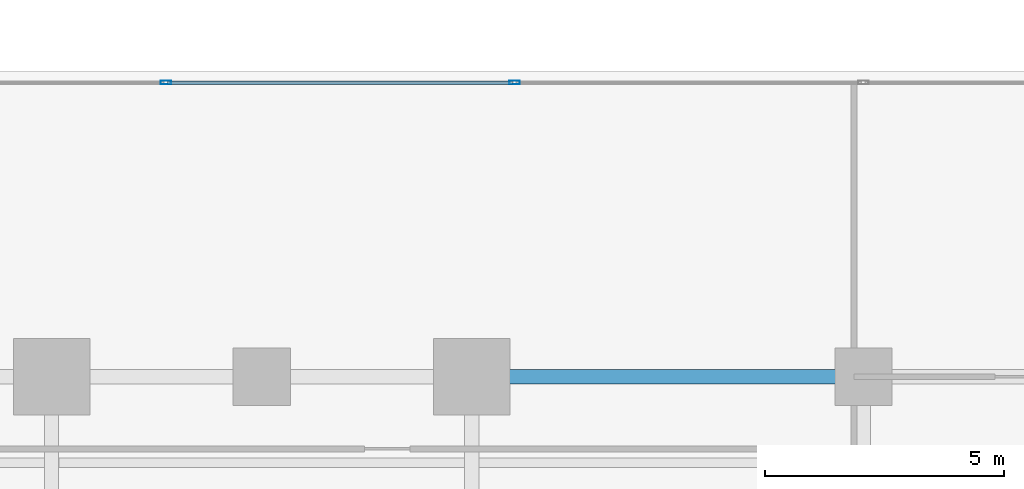
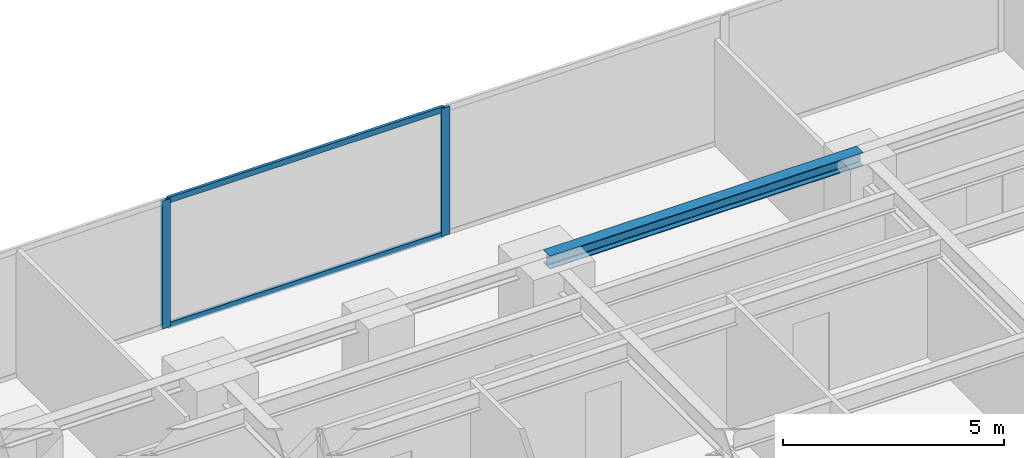
# One storey, part 13 of 28: 4 members, 1 beam, 1 element without a shape of its own.
"""IFC4 building model written with IfcOpenShell, lengths in metres."""

from ifc_helpers import new_model, si_unit, direction, frame, origin, origin_with_axes, origin_2d, place, context, subcontext, project, spatial, hollow_rectangle, i_section, extrude, source, transform, mapped, material, layer, layer_set, material_profile, profile_set, type_object, element, aggregate, save


model = new_model("IFC4")

# Units and contexts
model_context = context("Model", 3, precision=1e-05, world=origin(), true_north=direction((0.0, 1.0)))
body_context = subcontext(model_context, "Body", "Model", "MODEL_VIEW")
ifc_project = project(units=[si_unit("LENGTHUNIT", "METRE"), si_unit("AREAUNIT", "SQUARE_METRE"), si_unit("VOLUMEUNIT", "CUBIC_METRE"), si_unit("PLANEANGLEUNIT", "RADIAN"), si_unit("MASSUNIT", "GRAM", prefix="KILO")], contexts=[model_context])

# Site, building, storey
site_placement = place(None, origin())
site = spatial("IfcSite", under=ifc_project, at=site_placement, CompositionType="ELEMENT")
building_placement = place(site_placement, origin())
building = spatial("IfcBuilding", under=site, at=building_placement, Name="Kolvaren Waterfront Exchange", CompositionType="ELEMENT")
storey_placement = place(building_placement, frame((0.0, 0.0, 56.199951171875)))
storey = spatial("IfcBuildingStorey", under=building, at=storey_placement, Name="L14", CompositionType="ELEMENT", Elevation=56.199951171875)

# Beam
ifc_material_1 = material(Name="Steel S355", Category="steel")
ifc_material_profile_1 = material_profile(ifc_material_1, i_section(OverallWidth=0.300048828125, OverallDepth=0.360107421875, WebThickness=0.012451171875, FlangeThickness=0.0224609375, FilletRadius=0.027099609375, at=origin_2d()), Name="HEB360")
ifc_profile_set_1 = profile_set([ifc_material_profile_1], Name="Steel S355")
beam_type = type_object("IfcBeamType", Name="STR-BM-HEB360", PredefinedType="SPANDREL", material=ifc_profile_set_1)
beam_placement = place(storey_placement, frame((45.60009765625, 17.39990234375, 3.360107421875), z_axis=(1.0, 0.0, 0.0), x_axis=(0.0, 1.0, 0.0)))
element("IfcBeam", 1, at=beam_placement, inside=storey, type_object=beam_type, Name="L14 east-arm spandrel N4", PredefinedType="SPANDREL", context=body_context, shape_type="SweptSolid", body=[
    extrude(i_section(OverallWidth=0.300048828125, OverallDepth=0.360107421875, WebThickness=0.012451171875, FlangeThickness=0.0224609375, FilletRadius=0.027099609375, at=origin_2d()), origin(), (0.0, 0.0, 1.0), 8.199951171875),
])

# Curtain wall, members
ifc_material_2 = material(Name="Anodised bronze aluminium 6063-T6", Category="aluminium")
ifc_layer = layer(ifc_material_2, 0.219970703125, Name="Anodised bronze aluminium 6063-T6")
ifc_layer_set = layer_set([ifc_layer], Name="Anodised bronze aluminium 6063-T6")
curtain_wall_type = type_object("IfcCurtainWallType", Name="ARC-CW-SYS1", PredefinedType="USERDEFINED", material=ifc_layer_set)
curtain_wall_placement = place(storey_placement, origin())
curtain_wall = element("IfcCurtainWall", 2, at=curtain_wall_placement, inside=storey, type_object=curtain_wall_type, Name="L14 stick curtain wall CW1 (CW-L14-EN)", ObjectType="STICK CURTAIN WALL", PredefinedType="USERDEFINED")
ifc_material_3 = material(Name="Anodised aluminium 6063-T6", Category="aluminium")
ifc_material_profile_2 = material_profile(ifc_material_3, hollow_rectangle(XDim=0.074951171875, YDim=0.159912109375, WallThickness=0.00439453125, at=origin_2d()), Name="ALU-TRN-160x75x4.5")
ifc_profile_set_2 = profile_set([ifc_material_profile_2], Name="Anodised aluminium 6063-T6")
member_type_1 = type_object("IfcMemberType", Name="ARC-CWT-160", PredefinedType="USERDEFINED", material=ifc_profile_set_2)
shared_shape_1 = source(origin_with_axes(), body_context, "Body", "SweptSolid", [
    extrude(hollow_rectangle(XDim=0.074951171875, YDim=0.159912109375, WallThickness=0.00439453125, at=origin_2d()), origin(), (0.0, 0.0, 1.0), 7.22265625),
])
member_1_placement = place(storey_placement, frame((39.232421875, 23.56005859375, 0.03759765625), z_axis=(1.0, 0.0, 0.0), x_axis=(0.0, 1.0, 0.0)))
member_1 = element("IfcMember", 3, at=member_1_placement, type_object=member_type_1, Name="CW1 transom 2.1", ObjectType="TRANSOM", PredefinedType="USERDEFINED", context=body_context, shape_type="MappedRepresentation", body=[
    mapped(shared_shape_1, transform((0.0, 0.0, 0.0), x_axis=(1.0, 0.0, 0.0), y_axis=(0.0, 1.0, 0.0), z_axis=(0.0, 0.0, 1.0), scale=1.0)),
])
member_2_placement = place(storey_placement, frame((39.232421875, 23.56005859375, 3.50244140625), z_axis=(1.0, 0.0, 0.0), x_axis=(0.0, 1.0, 0.0)))
member_2 = element("IfcMember", 4, at=member_2_placement, type_object=member_type_1, Name="CW1 transom 2.2", ObjectType="TRANSOM", PredefinedType="USERDEFINED", context=body_context, shape_type="MappedRepresentation", body=[
    mapped(shared_shape_1, transform((0.0, 0.0, 0.0), x_axis=(1.0, 0.0, 0.0), y_axis=(0.0, 1.0, 0.0), z_axis=(0.0, 0.0, 1.0), scale=1.0)),
])
ifc_material_profile_3 = material_profile(ifc_material_3, hollow_rectangle(XDim=0.080078125, YDim=0.219970703125, WallThickness=0.0048828125, at=origin_2d()), Name="ALU-MUL-220x80x5")
ifc_profile_set_3 = profile_set([ifc_material_profile_3], Name="Anodised aluminium 6063-T6")
member_type_2 = type_object("IfcMemberType", Name="ARC-CWM-220", PredefinedType="MULLION", material=ifc_profile_set_3)
shared_shape_2 = source(origin_with_axes(), body_context, "Body", "SweptSolid", [
    extrude(hollow_rectangle(XDim=0.080078125, YDim=0.219970703125, WallThickness=0.0048828125, at=origin_2d()), origin(), (0.0, 0.0, 1.0), 3.5400390625),
])
member_3_placement = place(storey_placement, frame((39.1923828125, 23.56005859375, 0.0), z_axis=(0.0, 0.0, 1.0), x_axis=(0.0, 1.0, 0.0)))
member_3 = element("IfcMember", 5, at=member_3_placement, type_object=member_type_2, Name="CW1 mullion 2", PredefinedType="MULLION", context=body_context, shape_type="MappedRepresentation", body=[
    mapped(shared_shape_2, transform((0.0, 0.0, 0.0), x_axis=(1.0, 0.0, 0.0), y_axis=(0.0, 1.0, 0.0), z_axis=(0.0, 0.0, 1.0), scale=1.0)),
])
member_4_placement = place(storey_placement, frame((46.4951171875, 23.56005859375, 0.0), z_axis=(0.0, 0.0, 1.0), x_axis=(0.0, 1.0, 0.0)))
member_4 = element("IfcMember", 6, at=member_4_placement, type_object=member_type_2, Name="CW1 mullion 3", PredefinedType="MULLION", context=body_context, shape_type="MappedRepresentation", body=[
    mapped(shared_shape_2, transform((0.0, 0.0, 0.0), x_axis=(1.0, 0.0, 0.0), y_axis=(0.0, 1.0, 0.0), z_axis=(0.0, 0.0, 1.0), scale=1.0)),
])
aggregate(curtain_wall, [member_3, member_4, member_1, member_2])

save(model, "model.ifc")
